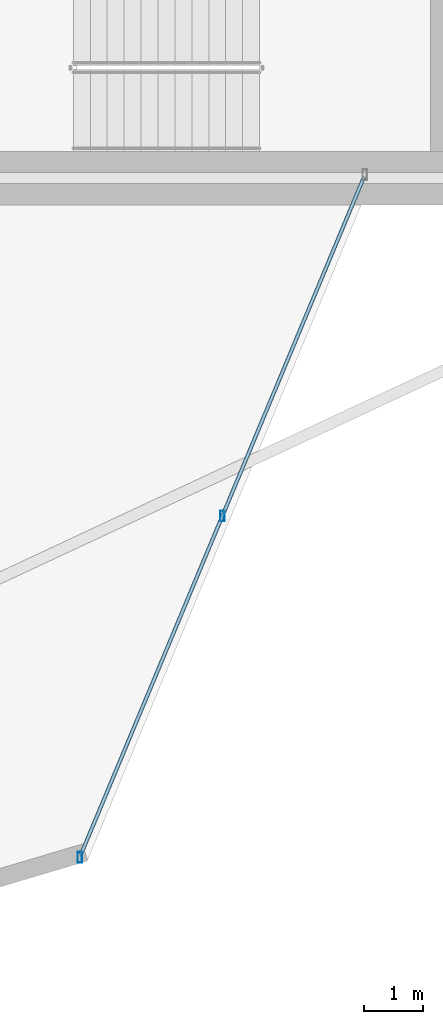
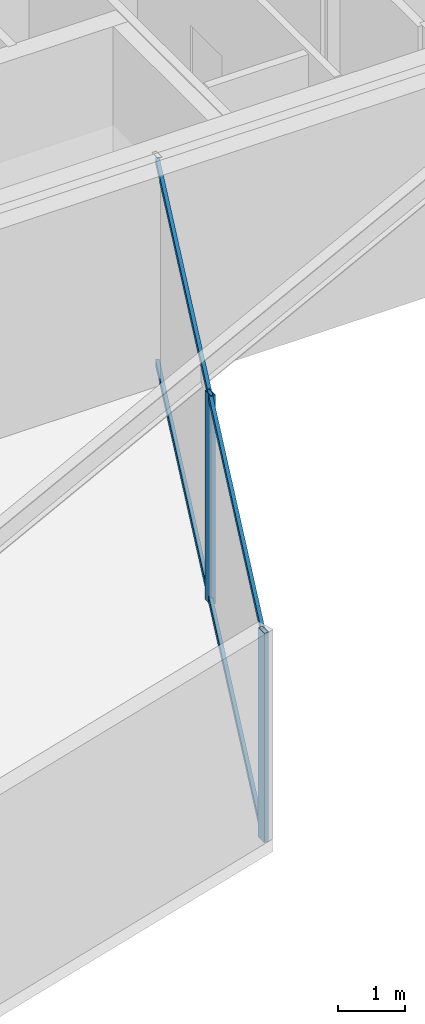
# One storey, part 10 of 25: 4 members, 1 element without a shape of its own.
"""IFC4 building model written with IfcOpenShell, lengths in metres."""

import ifcopenshell
import ifcopenshell.guid

model = None  # the IFC model being written
_history = None  # IfcOwnerHistory: only IFC2X3 demands one
_inside = {}  # id of a spatial element -> (the spatial element, [elements in it])
_under = {}  # id of a project, library or spatial element -> (it, [spatial elements below it])
_declared = {}  # id of a project -> (the project, [libraries it declares])
_typed = {}  # id of a type object -> (the type object, [elements of that type])
_made_of = {}  # id of a material, layer set ... -> (it, [elements and type objects made of it])


def new_model(schema):
    """Start an empty IFC model of exactly this schema.

    Asked for "IFC4X3", IfcOpenShell would pick the latest addendum, in which some entities
    have other attributes; the version numbers below select the first issue.
    IFC2X3 requires an IfcOwnerHistory on every rooted entity: one is made here for all.
    """
    global model, _history
    if schema == "IFC4X3":
        model = ifcopenshell.file(schema_version=(4, 3, 0, 0))
    else:
        model = ifcopenshell.file(schema=schema)
    _inside.clear()
    _under.clear()
    _declared.clear()
    _typed.clear()
    _made_of.clear()
    _history = None
    if model.schema == "IFC2X3":
        org = make("IfcOrganization", Name="unknown")
        user = make(
            "IfcPersonAndOrganization",
            ThePerson=make("IfcPerson", FamilyName="unknown"),
            TheOrganization=org,
        )
        app = make(
            "IfcApplication",
            ApplicationDeveloper=org,
            Version="unknown",
            ApplicationFullName="unknown",
            ApplicationIdentifier="unknown",
        )
        _history = make(
            "IfcOwnerHistory",
            OwningUser=user,
            OwningApplication=app,
            ChangeAction="ADDED",
            CreationDate=0,
        )
    return model


def make(cls, **values):
    """One entity of the class cls with the attributes given. An attribute that is None is left unset."""
    return model.create_entity(
        cls, **{name: value for name, value in values.items() if value is not None}
    )


def rooted(cls, **values):
    """An entity with a GlobalId (a new one), such as an element, a storey or a relation."""
    return make(cls, GlobalId=ifcopenshell.guid.new(), OwnerHistory=_history, **values)


def si_unit(unit_type, name, prefix=None):
    """IfcSIUnit, for example si_unit("LENGTHUNIT", "METRE", prefix="MILLI")."""
    return make("IfcSIUnit", UnitType=unit_type, Prefix=prefix, Name=name)


def assignment(units):
    """IfcUnitAssignment: the units of a project."""
    return None if units is None else make("IfcUnitAssignment", Units=units)


def point(xyz):
    """IfcCartesianPoint."""
    return None if xyz is None else make("IfcCartesianPoint", Coordinates=xyz)


def direction(xyz):
    """IfcDirection."""
    return None if xyz is None else make("IfcDirection", DirectionRatios=xyz)


def frame(location, z_axis=None, x_axis=None):
    """IfcAxis2Placement3D, a coordinate frame: its origin and axes. An axis left out is left unset."""
    return make(
        "IfcAxis2Placement3D",
        Location=point(location),
        Axis=direction(z_axis),
        RefDirection=direction(x_axis),
    )


def frame_2d(location, x_axis=None):
    """IfcAxis2Placement2D, a coordinate frame in the plane: its origin and x axis."""
    return make(
        "IfcAxis2Placement2D", Location=point(location), RefDirection=direction(x_axis)
    )


def origin():
    """The frame at (0, 0, 0) with its axes left unset."""
    return frame((0.0, 0.0, 0.0))


def origin_2d():
    """The frame at (0, 0) in the plane with its x axis left unset."""
    return frame_2d((0.0, 0.0))


def place(relative_to, where):
    """IfcLocalPlacement: puts the frame where relative to a parent placement (None: the world)."""
    return make(
        "IfcLocalPlacement", PlacementRelTo=relative_to, RelativePlacement=where
    )


def context(
    kind, dimensions, precision=None, world=None, true_north=None, identifier=None
):
    """IfcGeometricRepresentationContext, for example the 3D "Model" context."""
    return make(
        "IfcGeometricRepresentationContext",
        ContextIdentifier=identifier,
        ContextType=kind,
        CoordinateSpaceDimension=dimensions,
        Precision=precision,
        WorldCoordinateSystem=world,
        TrueNorth=true_north,
    )


def subcontext(parent, identifier, kind, view, scale=None):
    """IfcGeometricRepresentationSubContext, for example "Body" below "Model"."""
    return make(
        "IfcGeometricRepresentationSubContext",
        ContextIdentifier=identifier,
        ContextType=kind,
        ParentContext=parent,
        TargetScale=scale,
        TargetView=view,
    )


def project(units=None, contexts=None):
    """IfcProject with its units and contexts."""
    return rooted(
        "IfcProject",
        Name="project",
        RepresentationContexts=contexts,
        UnitsInContext=assignment(units),
    )


def spatial(cls, under=None, at=None, **own):
    """A site, building, storey or space (cls), placed at a placement, below another one or the project."""
    s = rooted(cls, ObjectPlacement=at, **own)
    if under is not None:
        _under.setdefault(under.id(), (under, []))[1].append(s)
    return s


def profile(cls, at=None, kind="AREA", **sizes):
    """A parametric profile (cls). Its sizes go by their IFC names, for example OverallWidth=200.0."""
    return make(cls, ProfileType=kind, Position=at, **sizes)


def hollow_rectangle(**sizes):
    """IfcRectangleHollowProfileDef."""
    return profile("IfcRectangleHollowProfileDef", **sizes)


def extrude(swept, where, along, depth):
    """IfcExtrudedAreaSolid: the profile swept, set in the frame where, extruded along a direction by depth."""
    return make(
        "IfcExtrudedAreaSolid",
        SweptArea=swept,
        Position=where,
        ExtrudedDirection=direction(along),
        Depth=depth,
    )


def shape(context_of_items, identifier, shape_type, items):
    """IfcShapeRepresentation: the items that make up one representation, for example the "Body"."""
    return make(
        "IfcShapeRepresentation",
        ContextOfItems=context_of_items,
        RepresentationIdentifier=identifier,
        RepresentationType=shape_type,
        Items=items,
    )


def material(Name=None, Category=None):
    """IfcMaterial."""
    return make("IfcMaterial", Name=Name, Category=Category)


def layer(
    of_material, thickness, ventilated=None, Name=None, Category=None, Priority=None
):
    """IfcMaterialLayer: one layer of a wall or slab, of a material (None: an air gap)."""
    return make(
        "IfcMaterialLayer",
        Material=of_material,
        LayerThickness=thickness,
        IsVentilated=ventilated,
        Name=Name,
        Category=Category,
        Priority=Priority,
    )


def layer_set(layers, Name=None):
    """IfcMaterialLayerSet."""
    return make("IfcMaterialLayerSet", MaterialLayers=layers, LayerSetName=Name)


def material_profile(
    of_material, cross_section, Name=None, Category=None, Priority=None
):
    """IfcMaterialProfile: a cross section and its material."""
    return make(
        "IfcMaterialProfile",
        Name=Name,
        Material=of_material,
        Profile=cross_section,
        Priority=Priority,
        Category=Category,
    )


def profile_set(profiles, Name=None, composite=None):
    """IfcMaterialProfileSet."""
    return make(
        "IfcMaterialProfileSet",
        Name=Name,
        MaterialProfiles=profiles,
        CompositeProfile=composite,
    )


def made_of(thing, what):
    """Note that an element or type object is made of a material, layer set ...; save() writes the relation."""
    if what is not None:
        _made_of.setdefault(what.id(), (what, []))[1].append(thing)
    return thing


def type_object(cls, material=None, **own):
    """A type object (cls), such as IfcWallType, which elements share."""
    return made_of(rooted(cls, **own), material)


def element(
    cls,
    number,
    at=None,
    inside=None,
    cuts=None,
    type_object=None,
    material=None,
    context=None,
    identifier="Body",
    shape_type=None,
    held_by="IfcProductDefinitionShape",
    body=None,
    shapes=None,
    **own,
):
    """One element of the class cls, such as IfcWall. Its Tag is "e" and its number.

    at: its placement. inside: the storey or other place that contains it. cuts: it is an
    opening in that element (IfcRelVoidsElement). A single representation is given by context,
    identifier, shape_type and body (its items); several are given by shapes. held_by: the class
    of the entity that holds the representations. save() writes the other relations.
    """
    e = rooted(cls, Tag="e%d" % number, ObjectPlacement=at, **own)
    if body is not None:
        shapes = [shape(context, identifier, shape_type, body)]
    if shapes is not None:
        e.Representation = make(held_by, Representations=shapes)
    if inside is not None:
        _inside.setdefault(inside.id(), (inside, []))[1].append(e)
    if cuts is not None:
        rooted(
            "IfcRelVoidsElement", RelatingBuildingElement=cuts, RelatedOpeningElement=e
        )
    if type_object is not None:
        _typed.setdefault(type_object.id(), (type_object, []))[1].append(e)
    return made_of(e, material)


def aggregate(whole, parts):
    """IfcRelAggregates: a whole, such as a stair, and the parts it consists of."""
    return rooted("IfcRelAggregates", RelatingObject=whole, RelatedObjects=parts)


def save(model, path):
    """Write the relations noted so far, then the file.

    IfcRelAggregates (storeys below a building ...), IfcRelContainedInSpatialStructure (elements
    in a storey), IfcRelDefinesByType, IfcRelAssociatesMaterial and IfcRelDeclares: one each for
    every whole, place, type object, material and project.
    """
    for whole, parts in _under.values():
        aggregate(whole, parts)
    for where, things in _inside.values():
        rooted(
            "IfcRelContainedInSpatialStructure",
            RelatedElements=things,
            RelatingStructure=where,
        )
    for kind, things in _typed.values():
        rooted("IfcRelDefinesByType", RelatedObjects=things, RelatingType=kind)
    for what, things in _made_of.values():
        rooted("IfcRelAssociatesMaterial", RelatedObjects=things, RelatingMaterial=what)
    for by, libraries in _declared.values():
        rooted("IfcRelDeclares", RelatingContext=by, RelatedDefinitions=libraries)
    model.write(path)


model = new_model("IFC4")

# Units and contexts
model_context = context("Model", 3, precision=1e-05, world=origin(), true_north=direction((0.0, 1.0)))
body_context = subcontext(model_context, "Body", "Model", "MODEL_VIEW")
ifc_project = project(units=[si_unit("LENGTHUNIT", "METRE"), si_unit("AREAUNIT", "SQUARE_METRE"), si_unit("VOLUMEUNIT", "CUBIC_METRE"), si_unit("PLANEANGLEUNIT", "RADIAN"), si_unit("MASSUNIT", "GRAM", prefix="KILO")], contexts=[model_context])

# Site, building, storey
site_placement = place(None, origin())
site = spatial("IfcSite", under=ifc_project, at=site_placement, CompositionType="ELEMENT")
building_placement = place(site_placement, origin())
building = spatial("IfcBuilding", under=site, at=building_placement, Name="Veymaron Broadcast Tower", CompositionType="ELEMENT")
storey_placement = place(building_placement, frame((0.0, 0.0, 82.35009765625)))
storey = spatial("IfcBuildingStorey", under=building, at=storey_placement, Name="L18", CompositionType="ELEMENT", Elevation=82.35009765625)

# Curtain wall, members
ifc_material_1 = material(Name="Anodised aluminium AA 6063-T6 and laminated low-E dark glass", Category="aluminium")
ifc_layer = layer(ifc_material_1, 0.179931640625)
ifc_layer_set = layer_set([ifc_layer], Name="Anodised aluminium AA 6063-T6 and laminated low-E dark glass")
curtain_wall_type = type_object("IfcCurtainWallType", Name="CW-SYS-02", PredefinedType="NOTDEFINED", material=ifc_layer_set)
curtain_wall_placement = place(storey_placement, origin())
curtain_wall = element("IfcCurtainWall", 1, at=curtain_wall_placement, inside=storey, type_object=curtain_wall_type, Name="L18 dark-glass curtain wall CW-L18-E20-1", PredefinedType="NOTDEFINED")
ifc_material_2 = material(Name="Anodised aluminium AA 6063-T6", Category="aluminium")
ifc_material_profile_1 = material_profile(ifc_material_2, hollow_rectangle(XDim=0.074951171875, YDim=0.179931640625, WallThickness=0.0048828125, at=origin_2d()), Name="AL180X75X5")
ifc_profile_set_1 = profile_set([ifc_material_profile_1], Name="Anodised aluminium AA 6063-T6")
member_type_1 = type_object("IfcMemberType", Name="CW-MUL-02", PredefinedType="MULLION", material=ifc_profile_set_1)
member_1_placement = place(storey_placement, frame((41.538818359375, 4.570068359375, 0.0), z_axis=(0.0, 0.0, 1.0), x_axis=(1.0, 0.0, 0.0)))
member_1 = element("IfcMember", 2, at=member_1_placement, type_object=member_type_1, Name="CW-L18-E20-1 mullion 0", PredefinedType="MULLION", context=body_context, shape_type="SweptSolid", body=[
    extrude(hollow_rectangle(XDim=0.074951171875, YDim=0.179931640625, WallThickness=0.0048828125, at=origin_2d()), origin(), (0.0, 0.0, 1.0), 3.809814453125),
])
member_2_placement = place(storey_placement, frame((43.937744140625, 10.31201171875, 0.0), z_axis=(0.0, 0.0, 1.0), x_axis=(1.0, 0.0, 0.0)))
member_2 = element("IfcMember", 3, at=member_2_placement, type_object=member_type_1, Name="CW-L18-E20-1 mullion 1", PredefinedType="MULLION", context=body_context, shape_type="SweptSolid", body=[
    extrude(hollow_rectangle(XDim=0.074951171875, YDim=0.179931640625, WallThickness=0.0048828125, at=origin_2d()), origin(), (0.0, 0.0, 1.0), 3.809814453125),
])
ifc_material_profile_2 = material_profile(ifc_material_2, hollow_rectangle(XDim=0.06005859375, YDim=0.1201171875, WallThickness=0.00390625, at=origin_2d()), Name="AL120X60X4")
ifc_profile_set_2 = profile_set([ifc_material_profile_2], Name="Anodised aluminium AA 6063-T6")
member_type_2 = type_object("IfcMemberType", Name="CW-TRN-02", PredefinedType="USERDEFINED", material=ifc_profile_set_2)
member_3_placement = place(storey_placement, frame((41.55810546875, 4.6162109375, 0.06982421875), z_axis=(0.385497017548, 0.922709081706, 0.0), x_axis=(-0.922709081706, 0.385497017548, 0.0)))
member_3 = element("IfcMember", 4, at=member_3_placement, type_object=member_type_2, Name="CW-L18-E20-1 transom B", ObjectType="TRANSOM", PredefinedType="USERDEFINED", context=body_context, shape_type="SweptSolid", body=[
    extrude(hollow_rectangle(XDim=0.06005859375, YDim=0.1201171875, WallThickness=0.00390625, at=origin_2d()), origin(), (0.0, 0.0, 1.0), 12.345703125),
])
member_4_placement = place(storey_placement, frame((41.55810546875, 4.6162109375, 3.739990234375), z_axis=(0.385497017548, 0.922709081706, 0.0), x_axis=(-0.922709081706, 0.385497017548, 0.0)))
member_4 = element("IfcMember", 5, at=member_4_placement, type_object=member_type_2, Name="CW-L18-E20-1 transom T", ObjectType="TRANSOM", PredefinedType="USERDEFINED", context=body_context, shape_type="SweptSolid", body=[
    extrude(hollow_rectangle(XDim=0.06005859375, YDim=0.1201171875, WallThickness=0.00390625, at=origin_2d()), origin(), (0.0, 0.0, 1.0), 12.345703125),
])
aggregate(curtain_wall, [member_1, member_2, member_3, member_4])

save(model, "model.ifc")
